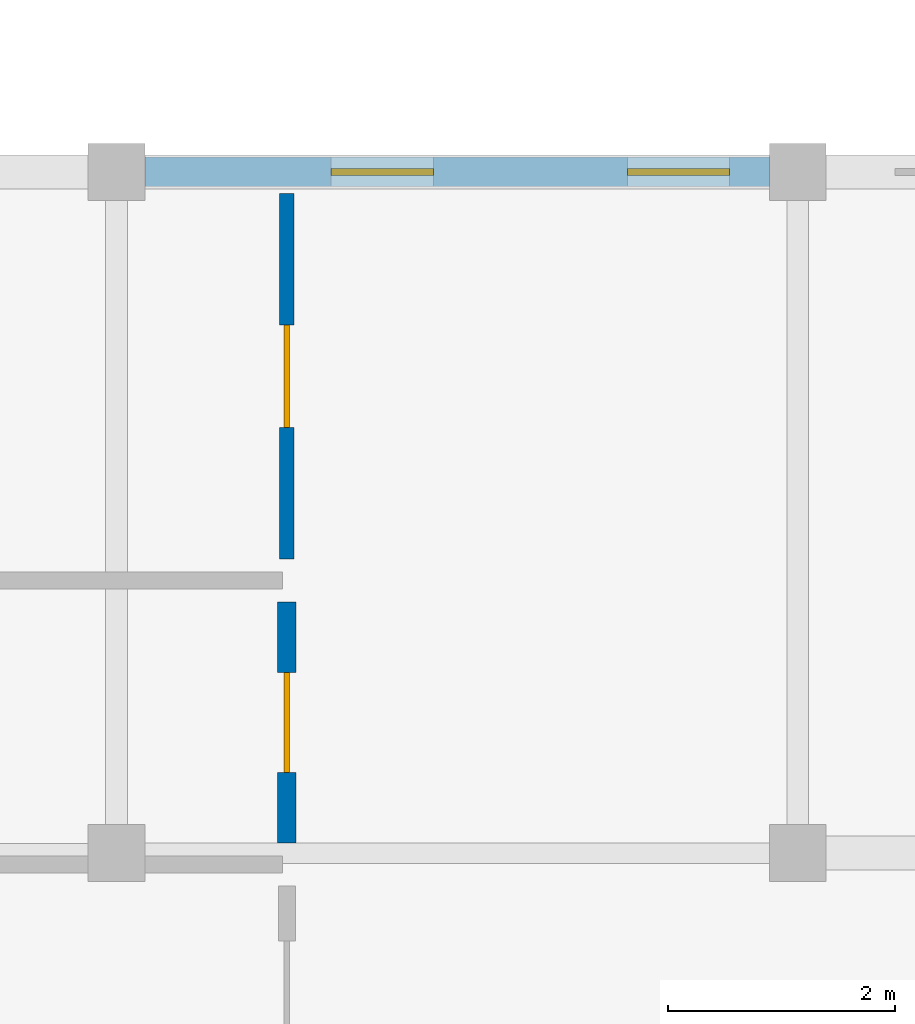
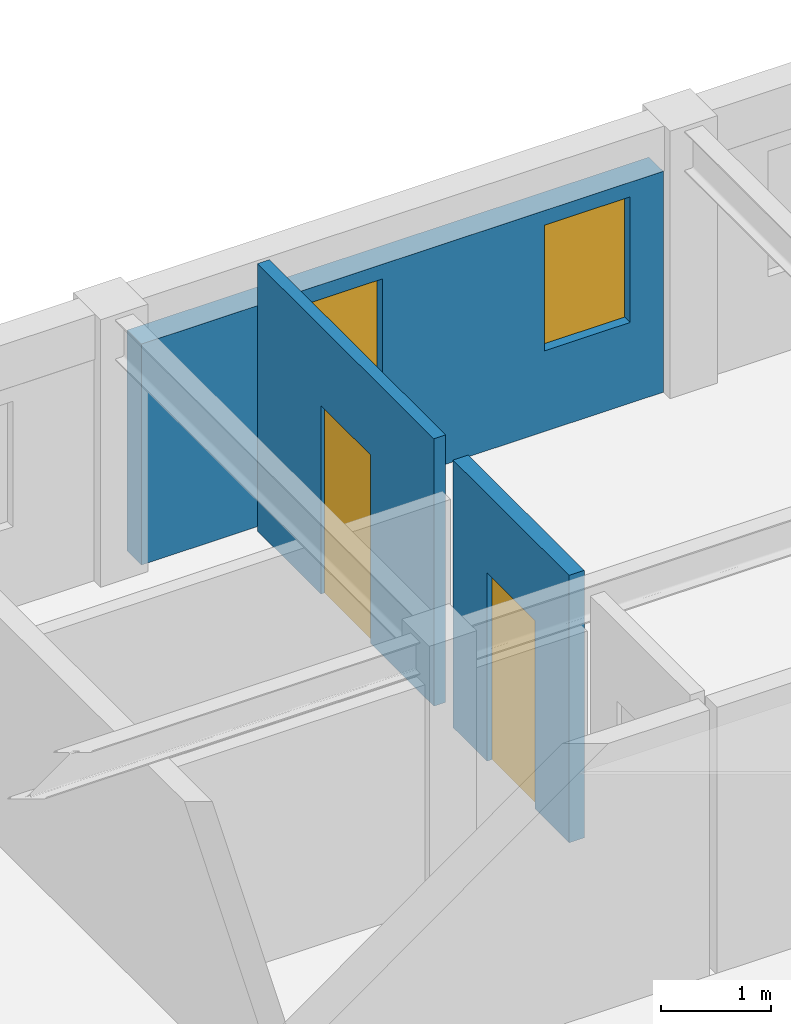
# One storey, part 12 of 23: 3 walls, 2 doors, 2 windows, 4 openings.
"""IFC4 building model written with IfcOpenShell, lengths in metres."""

from ifc_helpers import new_model, si_unit, direction, frame, frame_2d, origin, place, context, subcontext, project, spatial, rectangle, extrude, material, layer, layer_set, type_object, element, fill, save


model = new_model("IFC4")

# Units and contexts
model_context = context("Model", 3, precision=1e-05, world=origin(), true_north=direction((0.0, 1.0)))
body_context = subcontext(model_context, "Body", "Model", "MODEL_VIEW")
ifc_project = project(units=[si_unit("LENGTHUNIT", "METRE"), si_unit("AREAUNIT", "SQUARE_METRE"), si_unit("VOLUMEUNIT", "CUBIC_METRE"), si_unit("PLANEANGLEUNIT", "RADIAN"), si_unit("MASSUNIT", "GRAM", prefix="KILO"), si_unit("POWERUNIT", "WATT"), si_unit("THERMODYNAMICTEMPERATUREUNIT", "KELVIN")], contexts=[model_context])

# Site, building, storey
site_placement = place(None, origin())
site = spatial("IfcSite", under=ifc_project, at=site_placement, CompositionType="ELEMENT")
building_placement = place(site_placement, origin())
building = spatial("IfcBuilding", under=site, at=building_placement, Name="Ruvembo Vaulted Housing Court", CompositionType="ELEMENT")
storey_placement = place(building_placement, frame((0.0, 0.0, 26.89990234375)))
storey = spatial("IfcBuildingStorey", under=building, at=storey_placement, Name="L08", CompositionType="ELEMENT", Elevation=26.89990234375)

# Wall, openings, windows
ifc_material_1 = material(Name="Rendered Masonry 260", Category="masonry")
ifc_layer_1 = layer(ifc_material_1, 0.260009765625, Name="Rendered Masonry 260")
ifc_layer_set_1 = layer_set([ifc_layer_1], Name="Rendered Masonry 260")
wall_type_1 = type_object("IfcWallType", Name="WL-EXT-260", PredefinedType="STANDARD", material=ifc_layer_set_1)
wall_1_placement = place(storey_placement, frame((125.75, 30.0, 0.0), z_axis=(0.0, 0.0, 1.0), x_axis=(-1.0, 0.0, 0.0)))
wall_1 = element("IfcWall", 1, at=wall_1_placement, inside=storey, type_object=wall_type_1, Name="Block C L08 Exterior Wall COURTYARD #2", PredefinedType="STANDARD", context=body_context, shape_type="SweptSolid", body=[
    extrude(rectangle(XDim=5.5, YDim=0.260009765625, at=frame_2d((2.75, 0.0))), origin(), (0.0, 0.0, 1.0), 2.462158203125),
])
opening_1_placement = place(wall_1_placement, frame((0.35009765625, 0.0, 0.89990234375)))
opening_1 = element("IfcOpeningElement", 2, at=opening_1_placement, cuts=wall_1, Name="Opening W05", PredefinedType="OPENING", context=body_context, shape_type="SweptSolid", body=[
    extrude(rectangle(XDim=0.89990234375, YDim=1.39990234375, at=frame_2d((0.449951171875, 0.699951171875))), frame((0.0, 0.139892578125, 0.0), z_axis=(0.0, -1.0, 0.0), x_axis=(1.0, 0.0, 0.0)), (0.0, 0.0, 1.0), 0.280029296875),
])
opening_2_placement = place(wall_1_placement, frame((2.9599609375, 0.0, 0.89990234375)))
opening_2 = element("IfcOpeningElement", 3, at=opening_2_placement, cuts=wall_1, Name="Opening W05", PredefinedType="OPENING", context=body_context, shape_type="SweptSolid", body=[
    extrude(rectangle(XDim=0.89990234375, YDim=1.39990234375, at=frame_2d((0.449951171875, 0.699951171875))), frame((0.0, 0.139892578125, 0.0), z_axis=(0.0, -1.0, 0.0), x_axis=(1.0, 0.0, 0.0)), (0.0, 0.0, 1.0), 0.280029296875),
])
ifc_material_2 = material(Name="Double Solar-Control Glazing in Aluminium Frame", Category="aluminium")
window_type = type_object("IfcWindowType", Name="WIN-0900x1400", PartitioningType="SINGLE_PANEL", PredefinedType="WINDOW", material=ifc_material_2)
window_1_placement = place(opening_1_placement, origin())
window_1 = element("IfcWindow", 4, at=window_1_placement, inside=storey, type_object=window_type, Name="Block C L08 Window #1428", OverallHeight=1.39990234375, OverallWidth=0.89990234375, PartitioningType="SINGLE_PANEL", PredefinedType="WINDOW", context=body_context, shape_type="SweptSolid", body=[
    extrude(rectangle(XDim=0.89990234375, YDim=1.39990234375, at=frame_2d((0.449951171875, 0.699951171875))), frame((0.0, 0.030029296875, 0.0), z_axis=(0.0, -1.0, 0.0), x_axis=(1.0, 0.0, 0.0)), (0.0, 0.0, 1.0), 0.06005859375),
])
fill(opening_1, window_1)
window_2_placement = place(opening_2_placement, origin())
window_2 = element("IfcWindow", 5, at=window_2_placement, inside=storey, type_object=window_type, Name="Block C L08 Window #1429", OverallHeight=1.39990234375, OverallWidth=0.89990234375, PartitioningType="SINGLE_PANEL", PredefinedType="WINDOW", context=body_context, shape_type="SweptSolid", body=[
    extrude(rectangle(XDim=0.89990234375, YDim=1.39990234375, at=frame_2d((0.449951171875, 0.699951171875))), frame((0.0, 0.030029296875, 0.0), z_axis=(0.0, -1.0, 0.0), x_axis=(1.0, 0.0, 0.0)), (0.0, 0.0, 1.0), 0.06005859375),
])
fill(opening_2, window_2)

# Wall, opening, door
ifc_material_3 = material(Name="Plasterboard Stud Partition 125", Category="gypsum")
ifc_layer_2 = layer(ifc_material_3, 0.125, Name="Plasterboard Stud Partition 125")
ifc_layer_set_2 = layer_set([ifc_layer_2], Name="Plasterboard Stud Partition 125")
wall_type_2 = type_object("IfcWallType", Name="WL-PART-125", PredefinedType="PARTITIONING", material=ifc_layer_set_2)
wall_2_placement = place(storey_placement, frame((121.5, 26.590087890625, 0.0), z_axis=(0.0, 0.0, 1.0), x_axis=(0.0, 1.0, 0.0)))
wall_2 = element("IfcWall", 6, at=wall_2_placement, inside=storey, type_object=wall_type_2, Name="L08 Flat C-L08-N2 Bedroom 1 WL-INT-L08-02125", PredefinedType="PARTITIONING", context=body_context, shape_type="SweptSolid", body=[
    extrude(rectangle(XDim=3.219970703125, YDim=0.125, at=frame_2d((1.60986328125, 0.0))), origin(), (0.0, 0.0, 1.0), 2.97998046875),
])
opening_3_placement = place(wall_2_placement, frame((1.159912109375, 0.0, 0.0)))
opening_3 = element("IfcOpeningElement", 7, at=opening_3_placement, cuts=wall_2, Name="Opening ID1", PredefinedType="OPENING", context=body_context, shape_type="SweptSolid", body=[
    extrude(rectangle(XDim=0.89990234375, YDim=2.10009765625, at=frame_2d((0.449951171875, 1.050048828125))), frame((0.0, 0.072509765625, 0.0), z_axis=(0.0, -1.0, 0.0), x_axis=(1.0, 0.0, 0.0)), (0.0, 0.0, 1.0), 0.14501953125),
])
ifc_material_4 = material(Name="FSC Hardwood and Engineered Timber", Category="wood")
door_type_1 = type_object("IfcDoorType", Name="DR-ROOM-0900x2100", OperationType="NOTDEFINED", PredefinedType="DOOR", material=ifc_material_4)
door_1_placement = place(opening_3_placement, origin())
door_1 = element("IfcDoor", 8, at=door_1_placement, inside=storey, type_object=door_type_1, Name="L08 Flat C-L08-N2 Bedroom 1 Door DR-INT-L08-01184", OperationType="SINGLE_SWING_RIGHT", OverallHeight=2.10009765625, OverallWidth=0.89990234375, PredefinedType="DOOR", context=body_context, shape_type="SweptSolid", body=[
    extrude(rectangle(XDim=0.89990234375, YDim=2.10009765625, at=frame_2d((0.449951171875, 1.050048828125))), frame((0.0, 0.02490234375, 0.0), z_axis=(0.0, -1.0, 0.0), x_axis=(1.0, 0.0, 0.0)), (0.0, 0.0, 1.0), 0.050048828125),
])
fill(opening_3, door_1)

ifc_material_5 = material(Name="Acoustic Service Chase Wall 160", Category="gypsum")
ifc_layer_3 = layer(ifc_material_5, 0.159912109375, Name="Acoustic Service Chase Wall 160")
ifc_layer_set_3 = layer_set([ifc_layer_3], Name="Acoustic Service Chase Wall 160")
wall_type_3 = type_object("IfcWallType", Name="WL-PLUMB-160", PredefinedType="PLUMBINGWALL", material=ifc_layer_set_3)
wall_3_placement = place(storey_placement, frame((121.5, 24.090087890625, 0.0), z_axis=(0.0, 0.0, 1.0), x_axis=(0.0, 1.0, 0.0)))
wall_3 = element("IfcWall", 9, at=wall_3_placement, inside=storey, type_object=wall_type_3, Name="L08 Flat C-L08-N2 Kitchen WL-INT-L08-02126", PredefinedType="PLUMBINGWALL", context=body_context, shape_type="SweptSolid", body=[
    extrude(rectangle(XDim=2.119873046875, YDim=0.159912109375, at=frame_2d((1.06005859375, 0.0))), origin(), (0.0, 0.0, 1.0), 2.97998046875),
])
opening_4_placement = place(wall_3_placement, frame((0.6201171875, 0.0, 0.0)))
opening_4 = element("IfcOpeningElement", 10, at=opening_4_placement, cuts=wall_3, Name="Opening ID3", PredefinedType="OPENING", context=body_context, shape_type="SweptSolid", body=[
    extrude(rectangle(XDim=0.8798828125, YDim=2.10009765625, at=frame_2d((0.43994140625, 1.050048828125))), frame((0.0, 0.08984375, 0.0), z_axis=(0.0, -1.0, 0.0), x_axis=(1.0, 0.0, 0.0)), (0.0, 0.0, 1.0), 0.179931640625),
])
door_type_2 = type_object("IfcDoorType", Name="DR-ROOM-0880x2100", OperationType="NOTDEFINED", PredefinedType="DOOR", material=ifc_material_4)
door_2_placement = place(opening_4_placement, origin())
door_2 = element("IfcDoor", 11, at=door_2_placement, inside=storey, type_object=door_type_2, Name="L08 Flat C-L08-N2 Kitchen Door DR-INT-L08-01185", OperationType="SINGLE_SWING_LEFT", OverallHeight=2.10009765625, OverallWidth=0.8798828125, PredefinedType="DOOR", context=body_context, shape_type="SweptSolid", body=[
    extrude(rectangle(XDim=0.8798828125, YDim=2.10009765625, at=frame_2d((0.43994140625, 1.050048828125))), frame((0.0, 0.02490234375, 0.0), z_axis=(0.0, -1.0, 0.0), x_axis=(1.0, 0.0, 0.0)), (0.0, 0.0, 1.0), 0.050048828125),
])
fill(opening_4, door_2)

save(model, "model.ifc")
